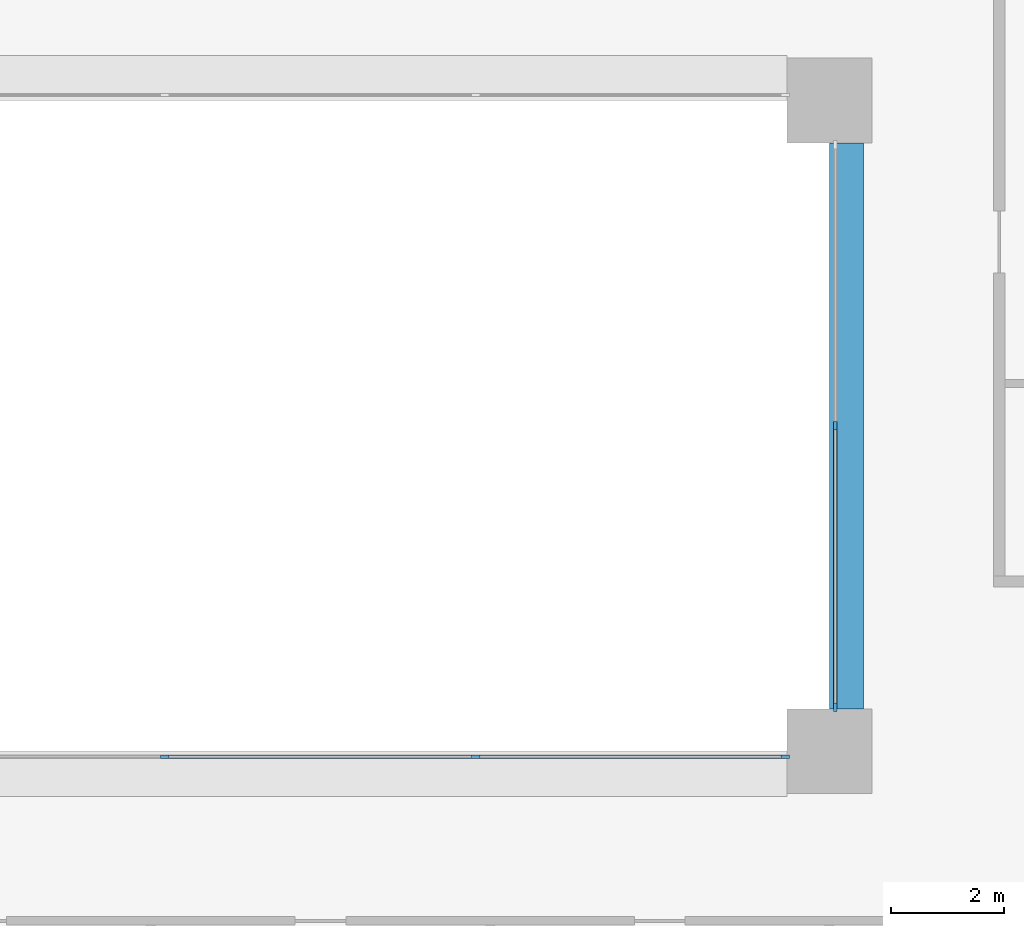
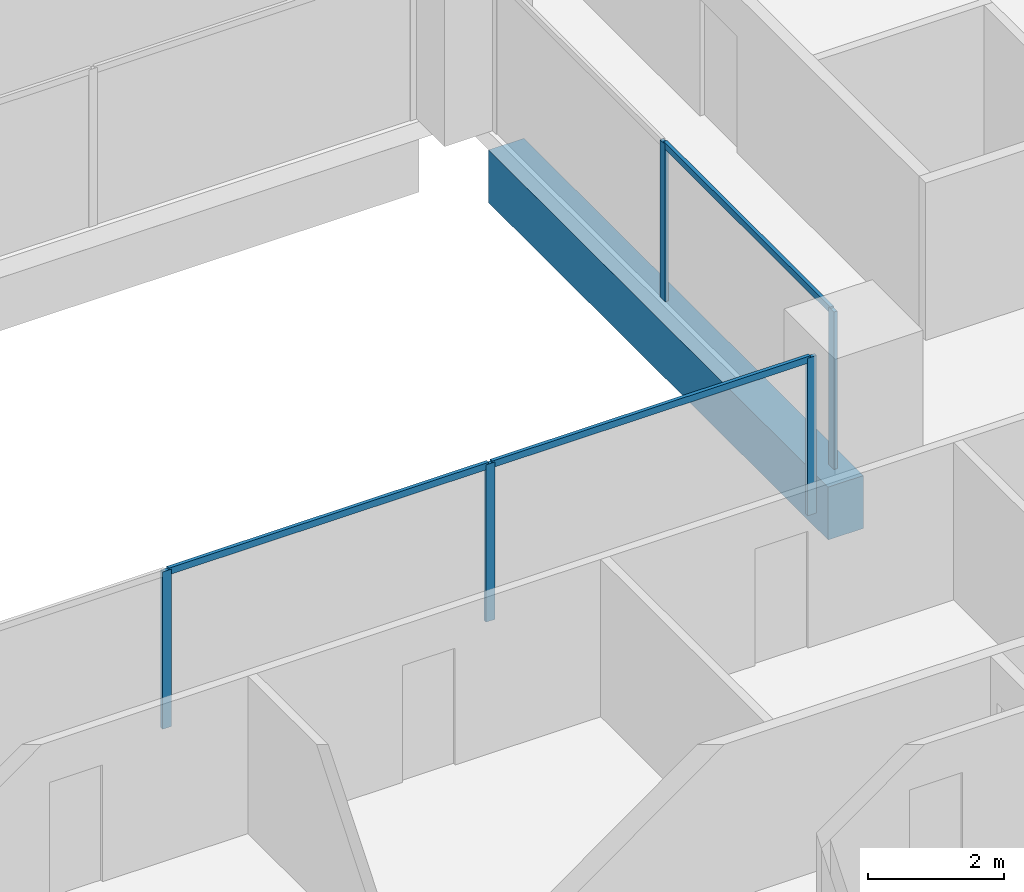
# One storey, part 4 of 19: 8 members, 1 beam, 2 elements without a shape of their own.
"""IFC4 building model written with IfcOpenShell, lengths in metres."""

from ifc_helpers import new_model, si_unit, direction, frame, origin, origin_2d, place, context, subcontext, project, spatial, rectangle, extrude, material, layer, layer_set, material_profile, profile_set, type_object, element, aggregate, save


model = new_model("IFC4")

# Units and contexts
model_context = context("Model", 3, precision=1e-05, world=origin(), true_north=direction((0.0, 1.0)))
body_context = subcontext(model_context, "Body", "Model", "MODEL_VIEW")
ifc_project = project(units=[si_unit("LENGTHUNIT", "METRE"), si_unit("AREAUNIT", "SQUARE_METRE"), si_unit("VOLUMEUNIT", "CUBIC_METRE"), si_unit("PLANEANGLEUNIT", "RADIAN"), si_unit("MASSUNIT", "GRAM", prefix="KILO")], contexts=[model_context])

# Site, building, storey
site_placement = place(None, origin())
site = spatial("IfcSite", under=ifc_project, at=site_placement, CompositionType="ELEMENT")
building_placement = place(site_placement, origin())
building = spatial("IfcBuilding", under=site, at=building_placement, Name="Brigalow Station Residences", CompositionType="ELEMENT")
storey_placement = place(building_placement, frame((0.0, 0.0, 19.5)))
storey = spatial("IfcBuildingStorey", under=building, at=storey_placement, Name="L04", CompositionType="ELEMENT", Elevation=19.5)

# Beam
ifc_material_1 = material(Name="Concrete C65", Category="concrete")
ifc_material_profile_1 = material_profile(ifc_material_1, rectangle(XDim=0.60009765625, YDim=0.949951171875, at=origin_2d()), Name="RC600x950")
ifc_profile_set_1 = profile_set([ifc_material_profile_1], Name="Concrete C65")
beam_type = type_object("IfcBeamType", Name="ATRIUM EDGE GIRDER 600x950 C65", PredefinedType="BEAM", material=ifc_profile_set_1)
beam_placement = place(storey_placement, frame((45.300048828125, 24.75, -0.794921875), z_axis=(0.0, 1.0, 0.0), x_axis=(-1.0, 0.0, 0.0)))
element("IfcBeam", 1, at=beam_placement, inside=storey, type_object=beam_type, Name="ATRIUM EDGE GIRDER 5 L04", PredefinedType="BEAM", context=body_context, shape_type="SweptSolid", body=[
    extrude(rectangle(XDim=0.60009765625, YDim=0.949951171875, at=origin_2d()), origin(), (0.0, 0.0, 1.0), 10.0),
])

# Curtain wall, members
ifc_material_2 = material(Name="Aluminium", Category="aluminium")
ifc_layer = layer(ifc_material_2, 0.14990234375)
ifc_layer_set = layer_set([ifc_layer], Name="ATRIUM FIRE-RATED GLAZING CURTAIN WALL")
curtain_wall_type = type_object("IfcCurtainWallType", Name="ATRIUM FIRE-RATED GLAZING CURTAIN WALL", PredefinedType="NOTDEFINED", material=ifc_layer_set)
curtain_wall_1_placement = place(storey_placement, origin())
curtain_wall_1 = element("IfcCurtainWall", 2, at=curtain_wall_1_placement, inside=storey, type_object=curtain_wall_type, Name="L04/cw/atrium-S", PredefinedType="NOTDEFINED")
ifc_material_3 = material(Name="Aluminium", Category="aluminium")
ifc_material_profile_2 = material_profile(ifc_material_3, rectangle(XDim=0.06005859375, YDim=0.14990234375, at=origin_2d()), Name="ATRIUM FIRE-RATED GLAZING MULLION 60x150")
ifc_profile_set_2 = profile_set([ifc_material_profile_2], Name="Aluminium")
member_type_1 = type_object("IfcMemberType", Name="ATRIUM FIRE-RATED GLAZING MULLION 60x150", PredefinedType="MULLION", material=ifc_profile_set_2)
member_1_placement = place(storey_placement, frame((33.25, 23.89990234375, 0.0), z_axis=(0.0, 0.0, 1.0), x_axis=(0.0, 1.0, 0.0)))
member_1 = element("IfcMember", 3, at=member_1_placement, type_object=member_type_1, Name="L04/cw/atrium-S/M01", PredefinedType="MULLION", context=body_context, shape_type="SweptSolid", body=[
    extrude(rectangle(XDim=0.06005859375, YDim=0.14990234375, at=origin_2d()), origin(), (0.0, 0.0, 1.0), 2.830078125),
])
member_2_placement = place(storey_placement, frame((38.75, 23.89990234375, 0.0), z_axis=(0.0, 0.0, 1.0), x_axis=(0.0, 1.0, 0.0)))
member_2 = element("IfcMember", 4, at=member_2_placement, type_object=member_type_1, Name="L04/cw/atrium-S/M02", PredefinedType="MULLION", context=body_context, shape_type="SweptSolid", body=[
    extrude(rectangle(XDim=0.06005859375, YDim=0.14990234375, at=origin_2d()), origin(), (0.0, 0.0, 1.0), 2.830078125),
])
member_3_placement = place(storey_placement, frame((44.219970703125, 23.89990234375, 0.0), z_axis=(0.0, 0.0, 1.0), x_axis=(0.0, 1.0, 0.0)))
member_3 = element("IfcMember", 5, at=member_3_placement, type_object=member_type_1, Name="L04/cw/atrium-S/M03", PredefinedType="MULLION", context=body_context, shape_type="SweptSolid", body=[
    extrude(rectangle(XDim=0.06005859375, YDim=0.14990234375, at=origin_2d()), origin(), (0.0, 0.0, 1.0), 2.830078125),
])

curtain_wall_2_placement = place(storey_placement, origin())
curtain_wall_2 = element("IfcCurtainWall", 6, at=curtain_wall_2_placement, inside=storey, type_object=curtain_wall_type, Name="L04/cw/atrium-E", PredefinedType="NOTDEFINED")
member_4_placement = place(storey_placement, frame((45.10009765625, 24.780029296875, 0.0), z_axis=(0.0, 0.0, 1.0), x_axis=(-1.0, 0.0, 0.0)))
member_4 = element("IfcMember", 7, at=member_4_placement, type_object=member_type_1, Name="L04/cw/atrium-E/M00", PredefinedType="MULLION", context=body_context, shape_type="SweptSolid", body=[
    extrude(rectangle(XDim=0.06005859375, YDim=0.14990234375, at=origin_2d()), origin(), (0.0, 0.0, 1.0), 2.830078125),
])
member_5_placement = place(storey_placement, frame((45.10009765625, 29.75, 0.0), z_axis=(0.0, 0.0, 1.0), x_axis=(-1.0, 0.0, 0.0)))
member_5 = element("IfcMember", 8, at=member_5_placement, type_object=member_type_1, Name="L04/cw/atrium-E/M01", PredefinedType="MULLION", context=body_context, shape_type="SweptSolid", body=[
    extrude(rectangle(XDim=0.06005859375, YDim=0.14990234375, at=origin_2d()), origin(), (0.0, 0.0, 1.0), 2.830078125),
])

# Member
ifc_material_4 = material(Name="Aluminium", Category="aluminium")
ifc_material_profile_3 = material_profile(ifc_material_4, rectangle(XDim=0.06005859375, YDim=0.1201171875, at=origin_2d()), Name="ATRIUM FIRE-RATED GLAZING TRANSOM 60x120")
ifc_profile_set_3 = profile_set([ifc_material_profile_3], Name="Aluminium")
member_type_2 = type_object("IfcMemberType", Name="ATRIUM FIRE-RATED GLAZING TRANSOM 60x120", PredefinedType="USERDEFINED", material=ifc_profile_set_3)
member_6_placement = place(storey_placement, frame((33.280029296875, 23.89990234375, 2.800048828125), z_axis=(1.0, 0.0, 0.0), x_axis=(0.0, 1.0, 0.0)))
member_6 = element("IfcMember", 9, at=member_6_placement, type_object=member_type_2, Name="L04/cw/atrium-S/T01-00", ObjectType="TRANSOM", PredefinedType="USERDEFINED", context=body_context, shape_type="SweptSolid", body=[
    extrude(rectangle(XDim=0.06005859375, YDim=0.1201171875, at=origin_2d()), origin(), (0.0, 0.0, 1.0), 5.43994140625),
])

member_7_placement = place(storey_placement, frame((38.780029296875, 23.89990234375, 2.800048828125), z_axis=(1.0, 0.0, 0.0), x_axis=(0.0, 1.0, 0.0)))
member_7 = element("IfcMember", 10, at=member_7_placement, type_object=member_type_2, Name="L04/cw/atrium-S/T02-00", ObjectType="TRANSOM", PredefinedType="USERDEFINED", context=body_context, shape_type="SweptSolid", body=[
    extrude(rectangle(XDim=0.06005859375, YDim=0.1201171875, at=origin_2d()), origin(), (0.0, 0.0, 1.0), 5.409912109375),
])

aggregate(curtain_wall_1, [member_1, member_2, member_3, member_6, member_7])

member_8_placement = place(storey_placement, frame((45.10009765625, 24.81005859375, 2.800048828125), z_axis=(0.0, 1.0, 0.0), x_axis=(-1.0, 0.0, 0.0)))
member_8 = element("IfcMember", 11, at=member_8_placement, type_object=member_type_2, Name="L04/cw/atrium-E/T00-00", ObjectType="TRANSOM", PredefinedType="USERDEFINED", context=body_context, shape_type="SweptSolid", body=[
    extrude(rectangle(XDim=0.06005859375, YDim=0.1201171875, at=origin_2d()), origin(), (0.0, 0.0, 1.0), 4.909912109375),
])

aggregate(curtain_wall_2, [member_4, member_5, member_8])

save(model, "model.ifc")
